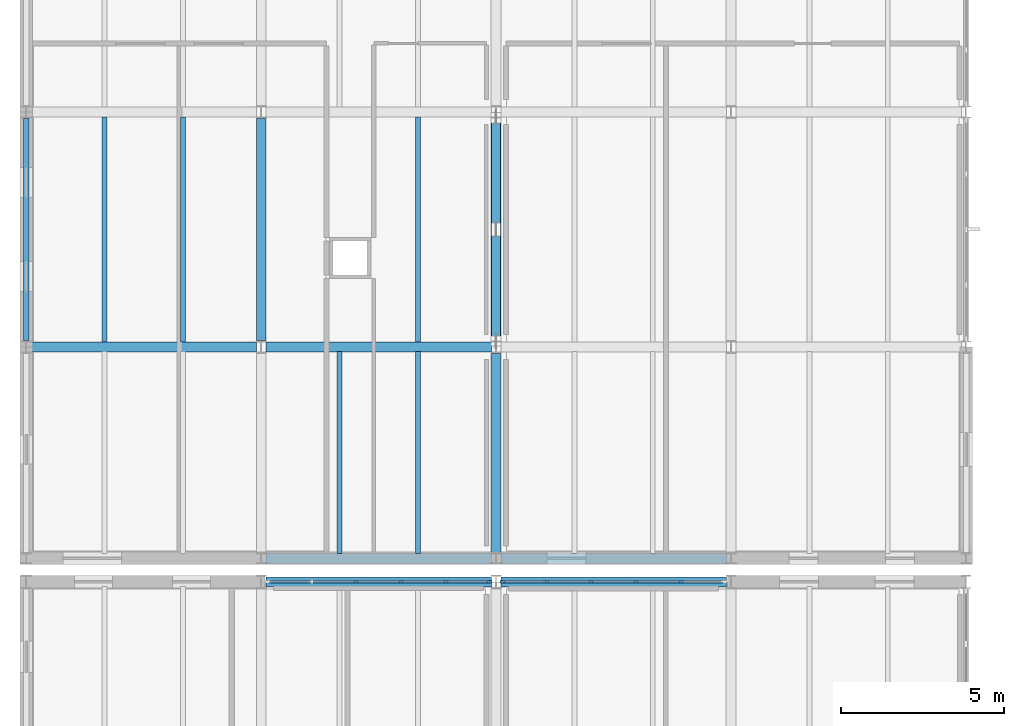
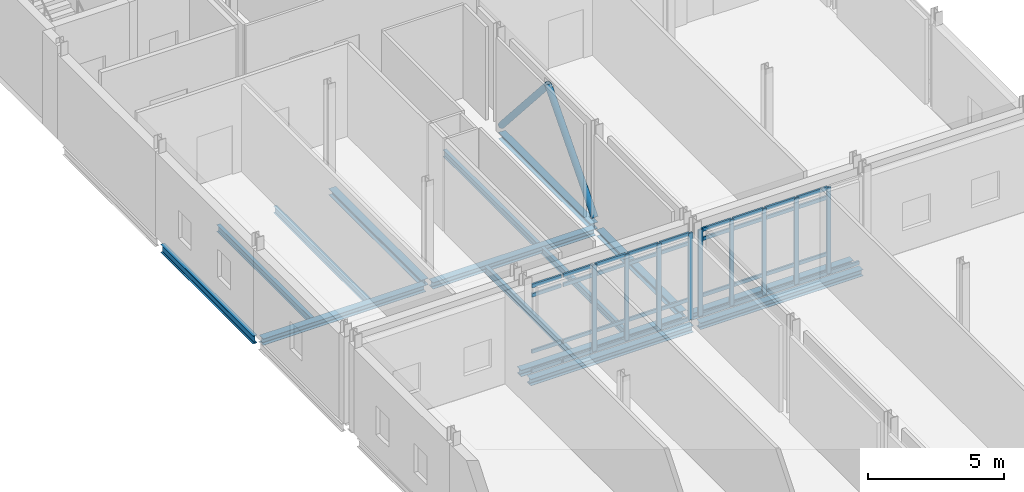
# One storey, part 19 of 76: 48 members, 15 beams, 2 elements without a shape of their own.
"""IFC4 building model written with IfcOpenShell, lengths in metres."""

from ifc_helpers import new_model, si_unit, direction, frame, origin, origin_2d, place, context, subcontext, project, spatial, rectangle, hollow_circle, i_section, extrude, material, layer, layer_set, material_profile, profile_set, type_object, element, aggregate, save


model = new_model("IFC4")

# Units and contexts
model_context = context("Model", 3, precision=1e-05, world=origin(), true_north=direction((0.0, 1.0)))
body_context = subcontext(model_context, "Body", "Model", "MODEL_VIEW")
ifc_project = project(units=[si_unit("LENGTHUNIT", "METRE"), si_unit("AREAUNIT", "SQUARE_METRE"), si_unit("VOLUMEUNIT", "CUBIC_METRE"), si_unit("PLANEANGLEUNIT", "RADIAN"), si_unit("MASSUNIT", "GRAM", prefix="KILO")], contexts=[model_context])

# Site, building, storey
site_placement = place(None, origin())
site = spatial("IfcSite", under=ifc_project, at=site_placement, CompositionType="ELEMENT")
building_placement = place(site_placement, origin())
building = spatial("IfcBuilding", under=site, at=building_placement, Name="Zarrinpeak Specialist Clinic", CompositionType="ELEMENT")
storey_placement = place(building_placement, frame((0.0, 0.0, 5.199951171875)))
storey = spatial("IfcBuildingStorey", under=building, at=storey_placement, Name="L01", CompositionType="ELEMENT", Elevation=5.199951171875)

# Beams
ifc_material_1 = material(Name="Steel S355", Category="steel")
ifc_material_profile_1 = material_profile(ifc_material_1, i_section(OverallWidth=0.300048828125, OverallDepth=0.2900390625, WebThickness=0.008544921875, FlangeThickness=0.013916015625, FilletRadius=0.027099609375, at=origin_2d()), Name="HEA 300")
ifc_profile_set_1 = profile_set([ifc_material_profile_1], Name="Steel S355")
beam_type_1 = type_object("IfcBeamType", Name="BM-HEA300", PredefinedType="BEAM", material=ifc_profile_set_1)
beam_1_placement = place(storey_placement, frame((7.347900390625, 50.39990234375, -0.375), z_axis=(1.0, 0.0, 0.0), x_axis=(0.0, 1.0, 0.0)))
element("IfcBeam", 1, at=beam_1_placement, inside=storey, type_object=beam_type_1, Name="L01 Primary Floor Girder BM-L01-X0777", PredefinedType="BEAM", context=body_context, shape_type="SweptSolid", body=[
    extrude(i_section(OverallWidth=0.300048828125, OverallDepth=0.2900390625, WebThickness=0.008544921875, FlangeThickness=0.013916015625, FilletRadius=0.027099609375, at=origin_2d()), origin(), (0.0, 0.0, 1.0), 6.904052734375),
])
beam_2_placement = place(storey_placement, frame((14.548095703125, 50.39990234375, -0.375), z_axis=(1.0, 0.0, 0.0), x_axis=(0.0, 1.0, 0.0)))
element("IfcBeam", 2, at=beam_2_placement, inside=storey, type_object=beam_type_1, Name="L01 Primary Floor Girder BM-L01-X0778", PredefinedType="BEAM", context=body_context, shape_type="SweptSolid", body=[
    extrude(i_section(OverallWidth=0.300048828125, OverallDepth=0.2900390625, WebThickness=0.008544921875, FlangeThickness=0.013916015625, FilletRadius=0.027099609375, at=origin_2d()), origin(), (0.0, 0.0, 1.0), 6.90380859375),
])
beam_3_placement = place(storey_placement, frame((7.347900390625, 51.1201171875, -0.405029296875), z_axis=(1.0, 0.0, 0.0), x_axis=(0.0, 1.0, 0.0)))
element("IfcBeam", 3, at=beam_3_placement, inside=storey, type_object=beam_type_1, Name="L01 Primary Floor Girder BM-L01-X0782", PredefinedType="BEAM", context=body_context, shape_type="SweptSolid", body=[
    extrude(i_section(OverallWidth=0.300048828125, OverallDepth=0.2900390625, WebThickness=0.008544921875, FlangeThickness=0.013916015625, FilletRadius=0.027099609375, at=origin_2d()), origin(), (0.0, 0.0, 1.0), 6.904052734375),
])
beam_4_placement = place(storey_placement, frame((14.548095703125, 51.1201171875, -0.405029296875), z_axis=(1.0, 0.0, 0.0), x_axis=(0.0, 1.0, 0.0)))
element("IfcBeam", 4, at=beam_4_placement, inside=storey, type_object=beam_type_1, Name="L01 Primary Floor Girder BM-L01-X0783", PredefinedType="BEAM", context=body_context, shape_type="SweptSolid", body=[
    extrude(i_section(OverallWidth=0.300048828125, OverallDepth=0.2900390625, WebThickness=0.008544921875, FlangeThickness=0.013916015625, FilletRadius=0.027099609375, at=origin_2d()), origin(), (0.0, 0.0, 1.0), 6.90380859375),
])
for number, where, z_axis, x_axis, name in (
    (5, (0.14794921875, 57.60009765625, -0.405029296875), (1.0, 0.0, 0.0), (0.0, 1.0, 0.0), "L01 Primary Floor Girder BM-L01-X0785"),
    (6, (7.347900390625, 57.60009765625, -0.405029296875), (1.0, 0.0, 0.0), (0.0, 1.0, 0.0), "L01 Primary Floor Girder BM-L01-X0786"),
):
    element("IfcBeam", number, at=place(storey_placement, frame(where, z_axis=z_axis, x_axis=x_axis)), inside=storey, type_object=beam_type_1, Name=name, PredefinedType="BEAM", context=body_context, shape_type="SweptSolid", body=[
        extrude(i_section(OverallWidth=0.300048828125, OverallDepth=0.2900390625, WebThickness=0.008544921875, FlangeThickness=0.013916015625, FilletRadius=0.027099609375, at=origin_2d()), origin(), (0.0, 0.0, 1.0), 6.904052734375),
    ])
beam_5_placement = place(storey_placement, frame((7.199951171875, 57.798095703125, -0.405029296875), z_axis=(0.0, 1.0, 0.0), x_axis=(-1.0, 0.0, 0.0)))
element("IfcBeam", 7, at=beam_5_placement, inside=storey, type_object=beam_type_1, Name="L01 Primary Beam BM-L01-Y0846", PredefinedType="BEAM", context=body_context, shape_type="SweptSolid", body=[
    extrude(i_section(OverallWidth=0.300048828125, OverallDepth=0.2900390625, WebThickness=0.008544921875, FlangeThickness=0.013916015625, FilletRadius=0.027099609375, at=origin_2d()), origin(), (0.0, 0.0, 1.0), 6.803955078125),
])
beam_6_placement = place(storey_placement, frame((14.39990234375, 51.298095703125, -0.405029296875), z_axis=(0.0, 1.0, 0.0), x_axis=(-1.0, 0.0, 0.0)))
element("IfcBeam", 8, at=beam_6_placement, inside=storey, type_object=beam_type_1, Name="L01 Primary Beam BM-L01-Y0857", PredefinedType="BEAM", context=body_context, shape_type="SweptSolid", body=[
    extrude(i_section(OverallWidth=0.300048828125, OverallDepth=0.2900390625, WebThickness=0.008544921875, FlangeThickness=0.013916015625, FilletRadius=0.027099609375, at=origin_2d()), origin(), (0.0, 0.0, 1.0), 6.10400390625),
])
beam_7_placement = place(storey_placement, frame((14.39990234375, 57.798095703125, -0.405029296875), z_axis=(0.0, 1.0, 0.0), x_axis=(-1.0, 0.0, 0.0)))
element("IfcBeam", 9, at=beam_7_placement, inside=storey, type_object=beam_type_1, Name="L01 Primary Beam BM-L01-Y0858", PredefinedType="BEAM", context=body_context, shape_type="SweptSolid", body=[
    extrude(i_section(OverallWidth=0.300048828125, OverallDepth=0.2900390625, WebThickness=0.008544921875, FlangeThickness=0.013916015625, FilletRadius=0.027099609375, at=origin_2d()), origin(), (0.0, 0.0, 1.0), 6.803955078125),
])
ifc_material_profile_2 = material_profile(ifc_material_1, i_section(OverallWidth=0.14990234375, OverallDepth=0.300048828125, WebThickness=0.007080078125, FlangeThickness=0.0107421875, FilletRadius=0.014892578125, at=origin_2d()), Name="IPE 300")
ifc_profile_set_2 = profile_set([ifc_material_profile_2], Name="Steel S355")
beam_type_2 = type_object("IfcBeamType", Name="BM-JST300", PredefinedType="JOIST", material=ifc_profile_set_2)
for number, where, z_axis, x_axis, name in (
    (10, (2.39990234375, 57.748046875, -0.409912109375), (0.0, 1.0, 0.0), (-1.0, 0.0, 0.0), "L01 Composite Floor Joist JST-L01-1047"),
    (11, (4.800048828125, 57.748046875, -0.409912109375), (0.0, 1.0, 0.0), (-1.0, 0.0, 0.0), "L01 Composite Floor Joist JST-L01-1048"),
):
    element("IfcBeam", number, at=place(storey_placement, frame(where, z_axis=z_axis, x_axis=x_axis)), inside=storey, type_object=beam_type_2, Name=name, PredefinedType="JOIST", context=body_context, shape_type="SweptSolid", body=[
        extrude(i_section(OverallWidth=0.14990234375, OverallDepth=0.300048828125, WebThickness=0.007080078125, FlangeThickness=0.0107421875, FilletRadius=0.014892578125, at=origin_2d()), origin(), (0.0, 0.0, 1.0), 6.904052734375),
    ])
for number, where, z_axis, x_axis, name in (
    (12, (9.60009765625, 51.26806640625, -0.409912109375), (0.0, 1.0, 0.0), (-1.0, 0.0, 0.0), "L01 Composite Floor Joist JST-L01-1051"),
    (13, (12.0, 51.26806640625, -0.409912109375), (0.0, 1.0, 0.0), (-1.0, 0.0, 0.0), "L01 Composite Floor Joist JST-L01-1052"),
):
    element("IfcBeam", number, at=place(storey_placement, frame(where, z_axis=z_axis, x_axis=x_axis)), inside=storey, type_object=beam_type_2, Name=name, PredefinedType="JOIST", context=body_context, shape_type="SweptSolid", body=[
        extrude(i_section(OverallWidth=0.14990234375, OverallDepth=0.300048828125, WebThickness=0.007080078125, FlangeThickness=0.0107421875, FilletRadius=0.014892578125, at=origin_2d()), origin(), (0.0, 0.0, 1.0), 6.183837890625),
    ])
beam_8_placement = place(storey_placement, frame((12.0, 57.748046875, -0.409912109375), z_axis=(0.0, 1.0, 0.0), x_axis=(-1.0, 0.0, 0.0)))
element("IfcBeam", 14, at=beam_8_placement, inside=storey, type_object=beam_type_2, Name="L01 Composite Floor Joist JST-L01-1053", PredefinedType="JOIST", context=body_context, shape_type="SweptSolid", body=[
    extrude(i_section(OverallWidth=0.14990234375, OverallDepth=0.300048828125, WebThickness=0.007080078125, FlangeThickness=0.0107421875, FilletRadius=0.014892578125, at=origin_2d()), origin(), (0.0, 0.0, 1.0), 6.904052734375),
])
ifc_material_profile_3 = material_profile(ifc_material_1, i_section(OverallWidth=0.169921875, OverallDepth=0.360107421875, WebThickness=0.008056640625, FlangeThickness=0.0126953125, FilletRadius=0.01806640625, at=origin_2d()), Name="IPE 360")
ifc_profile_set_3 = profile_set([ifc_material_profile_3], Name="Steel S355")
beam_type_3 = type_object("IfcBeamType", Name="BM-SP360", PredefinedType="SPANDREL", material=ifc_profile_set_3)
beam_9_placement = place(storey_placement, frame((0.0, 57.798095703125, -0.43994140625), z_axis=(0.0, 1.0, 0.0), x_axis=(-1.0, 0.0, 0.0)))
element("IfcBeam", 15, at=beam_9_placement, inside=storey, type_object=beam_type_3, Name="L01 Perimeter Spandrel Beam BM-L01-Y0836", PredefinedType="SPANDREL", context=body_context, shape_type="SweptSolid", body=[
    extrude(i_section(OverallWidth=0.169921875, OverallDepth=0.360107421875, WebThickness=0.008056640625, FlangeThickness=0.0126953125, FilletRadius=0.01806640625, at=origin_2d()), origin(), (0.0, 0.0, 1.0), 6.803955078125),
])

# Curtain wall, members
ifc_material_2 = material(Name="Anodised Aluminium Alloy 6063-T6", Category="aluminium")
ifc_layer = layer(ifc_material_2, 0.1650390625)
ifc_layer_set = layer_set([ifc_layer], Name="Anodised Aluminium Alloy 6063-T6")
curtain_wall_type = type_object("IfcCurtainWallType", Name="CW-CLINIC", PredefinedType="NOTDEFINED", material=ifc_layer_set)
curtain_wall_1_placement = place(storey_placement, origin())
curtain_wall_1 = element("IfcCurtainWall", 16, at=curtain_wall_1_placement, inside=storey, type_object=curtain_wall_type, Name="L01 V1 Unitised Curtain Wall CW-L01-V1-007", PredefinedType="NOTDEFINED")
ifc_material_profile_4 = material_profile(ifc_material_2, rectangle(XDim=0.074951171875, YDim=0.179931640625, at=origin_2d()), Name="ALU 75x180")
ifc_profile_set_4 = profile_set([ifc_material_profile_4], Name="Anodised Aluminium Alloy 6063-T6")
member_type_1 = type_object("IfcMemberType", Name="CWM-75", PredefinedType="MULLION", material=ifc_profile_set_4)
member_1_placement = place(storey_placement, frame((14.1875, 50.39990234375, 0.0), z_axis=(0.0, 0.0, 1.0), x_axis=(0.0, -1.0, 0.0)))
member_1 = element("IfcMember", 17, at=member_1_placement, type_object=member_type_1, Name="CW-03 mullion 1", PredefinedType="MULLION", context=body_context, shape_type="SweptSolid", body=[
    extrude(rectangle(XDim=0.074951171875, YDim=0.179931640625, at=origin_2d()), origin(), (0.0, 0.0, 1.0), 3.880126953125),
])
member_2_placement = place(storey_placement, frame((12.85498046875, 50.39990234375, 0.0), z_axis=(0.0, 0.0, 1.0), x_axis=(0.0, -1.0, 0.0)))
member_2 = element("IfcMember", 18, at=member_2_placement, type_object=member_type_1, Name="CW-03 mullion 2", PredefinedType="MULLION", context=body_context, shape_type="SweptSolid", body=[
    extrude(rectangle(XDim=0.074951171875, YDim=0.179931640625, at=origin_2d()), origin(), (0.0, 0.0, 1.0), 3.880126953125),
])
member_3_placement = place(storey_placement, frame((11.485107421875, 50.39990234375, 0.0), z_axis=(0.0, 0.0, 1.0), x_axis=(0.0, -1.0, 0.0)))
member_3 = element("IfcMember", 19, at=member_3_placement, type_object=member_type_1, Name="CW-03 mullion 3", PredefinedType="MULLION", context=body_context, shape_type="SweptSolid", body=[
    extrude(rectangle(XDim=0.074951171875, YDim=0.179931640625, at=origin_2d()), origin(), (0.0, 0.0, 1.0), 3.880126953125),
])
member_4_placement = place(storey_placement, frame((10.114990234375, 50.39990234375, 0.0), z_axis=(0.0, 0.0, 1.0), x_axis=(0.0, -1.0, 0.0)))
member_4 = element("IfcMember", 20, at=member_4_placement, type_object=member_type_1, Name="CW-03 mullion 4", PredefinedType="MULLION", context=body_context, shape_type="SweptSolid", body=[
    extrude(rectangle(XDim=0.074951171875, YDim=0.179931640625, at=origin_2d()), origin(), (0.0, 0.0, 1.0), 3.880126953125),
])

curtain_wall_2_placement = place(storey_placement, origin())
curtain_wall_2 = element("IfcCurtainWall", 21, at=curtain_wall_2_placement, inside=storey, type_object=curtain_wall_type, Name="L01 V1 Unitised Curtain Wall CW-L01-V1-008", PredefinedType="NOTDEFINED")
member_5_placement = place(storey_placement, frame((20.054931640625, 50.39990234375, 0.0), z_axis=(0.0, 0.0, 1.0), x_axis=(0.0, -1.0, 0.0)))
member_5 = element("IfcMember", 22, at=member_5_placement, type_object=member_type_1, Name="CW-03 mullion 2", PredefinedType="MULLION", context=body_context, shape_type="SweptSolid", body=[
    extrude(rectangle(XDim=0.074951171875, YDim=0.179931640625, at=origin_2d()), origin(), (0.0, 0.0, 1.0), 3.880126953125),
])
member_6_placement = place(storey_placement, frame((18.68505859375, 50.39990234375, 0.0), z_axis=(0.0, 0.0, 1.0), x_axis=(0.0, -1.0, 0.0)))
member_6 = element("IfcMember", 23, at=member_6_placement, type_object=member_type_1, Name="CW-03 mullion 3", PredefinedType="MULLION", context=body_context, shape_type="SweptSolid", body=[
    extrude(rectangle(XDim=0.074951171875, YDim=0.179931640625, at=origin_2d()), origin(), (0.0, 0.0, 1.0), 3.880126953125),
])
member_7_placement = place(storey_placement, frame((17.31494140625, 50.39990234375, 0.0), z_axis=(0.0, 0.0, 1.0), x_axis=(0.0, -1.0, 0.0)))
member_7 = element("IfcMember", 24, at=member_7_placement, type_object=member_type_1, Name="CW-03 mullion 4", PredefinedType="MULLION", context=body_context, shape_type="SweptSolid", body=[
    extrude(rectangle(XDim=0.074951171875, YDim=0.179931640625, at=origin_2d()), origin(), (0.0, 0.0, 1.0), 3.880126953125),
])
member_8_placement = place(storey_placement, frame((15.945068359375, 50.39990234375, 0.0), z_axis=(0.0, 0.0, 1.0), x_axis=(0.0, -1.0, 0.0)))
member_8 = element("IfcMember", 25, at=member_8_placement, type_object=member_type_1, Name="CW-03 mullion 5", PredefinedType="MULLION", context=body_context, shape_type="SweptSolid", body=[
    extrude(rectangle(XDim=0.074951171875, YDim=0.179931640625, at=origin_2d()), origin(), (0.0, 0.0, 1.0), 3.880126953125),
])
member_9_placement = place(storey_placement, frame((14.612548828125, 50.39990234375, 0.0), z_axis=(0.0, 0.0, 1.0), x_axis=(0.0, -1.0, 0.0)))
member_9 = element("IfcMember", 26, at=member_9_placement, type_object=member_type_1, Name="CW-03 mullion 6", PredefinedType="MULLION", context=body_context, shape_type="SweptSolid", body=[
    extrude(rectangle(XDim=0.074951171875, YDim=0.179931640625, at=origin_2d()), origin(), (0.0, 0.0, 1.0), 3.880126953125),
])

# Member
ifc_material_profile_5 = material_profile(ifc_material_2, rectangle(XDim=0.074951171875, YDim=0.159912109375, at=origin_2d()), Name="ALU 75x160")
ifc_profile_set_5 = profile_set([ifc_material_profile_5], Name="Anodised Aluminium Alloy 6063-T6")
member_type_2 = type_object("IfcMemberType", Name="CWT-75", PredefinedType="USERDEFINED", material=ifc_profile_set_5)
member_10_placement = place(storey_placement, frame((14.14990234375, 50.39990234375, 0.03759765625), z_axis=(-1.0, 0.0, 0.0), x_axis=(0.0, -1.0, 0.0)))
member_10 = element("IfcMember", 27, at=member_10_placement, type_object=member_type_2, Name="CW-03 transom 1.1", ObjectType="TRANSOM", PredefinedType="USERDEFINED", context=body_context, shape_type="SweptSolid", body=[
    extrude(rectangle(XDim=0.074951171875, YDim=0.159912109375, at=origin_2d()), origin(), (0.0, 0.0, 1.0), 1.25732421875),
])

member_11_placement = place(storey_placement, frame((14.14990234375, 50.39990234375, 0.900146484375), z_axis=(-1.0, 0.0, 0.0), x_axis=(0.0, -1.0, 0.0)))
member_11 = element("IfcMember", 28, at=member_11_placement, type_object=member_type_2, Name="CW-03 transom 1.2", ObjectType="TRANSOM", PredefinedType="USERDEFINED", context=body_context, shape_type="SweptSolid", body=[
    extrude(rectangle(XDim=0.074951171875, YDim=0.159912109375, at=origin_2d()), origin(), (0.0, 0.0, 1.0), 1.25732421875),
])

member_12_placement = place(storey_placement, frame((14.14990234375, 50.39990234375, 3.429931640625), z_axis=(-1.0, 0.0, 0.0), x_axis=(0.0, -1.0, 0.0)))
member_12 = element("IfcMember", 29, at=member_12_placement, type_object=member_type_2, Name="CW-03 transom 1.3", ObjectType="TRANSOM", PredefinedType="USERDEFINED", context=body_context, shape_type="SweptSolid", body=[
    extrude(rectangle(XDim=0.074951171875, YDim=0.159912109375, at=origin_2d()), origin(), (0.0, 0.0, 1.0), 1.25732421875),
])

member_13_placement = place(storey_placement, frame((14.14990234375, 50.39990234375, 3.842529296875), z_axis=(-1.0, 0.0, 0.0), x_axis=(0.0, -1.0, 0.0)))
member_13 = element("IfcMember", 30, at=member_13_placement, type_object=member_type_2, Name="CW-03 transom 1.4", ObjectType="TRANSOM", PredefinedType="USERDEFINED", context=body_context, shape_type="SweptSolid", body=[
    extrude(rectangle(XDim=0.074951171875, YDim=0.159912109375, at=origin_2d()), origin(), (0.0, 0.0, 1.0), 1.25732421875),
])

member_14_placement = place(storey_placement, frame((12.8173828125, 50.39990234375, 0.03759765625), z_axis=(-1.0, 0.0, 0.0), x_axis=(0.0, -1.0, 0.0)))
member_14 = element("IfcMember", 31, at=member_14_placement, type_object=member_type_2, Name="CW-03 transom 2.1", ObjectType="TRANSOM", PredefinedType="USERDEFINED", context=body_context, shape_type="SweptSolid", body=[
    extrude(rectangle(XDim=0.074951171875, YDim=0.159912109375, at=origin_2d()), origin(), (0.0, 0.0, 1.0), 1.294921875),
])

member_15_placement = place(storey_placement, frame((12.8173828125, 50.39990234375, 0.900146484375), z_axis=(-1.0, 0.0, 0.0), x_axis=(0.0, -1.0, 0.0)))
member_15 = element("IfcMember", 32, at=member_15_placement, type_object=member_type_2, Name="CW-03 transom 2.2", ObjectType="TRANSOM", PredefinedType="USERDEFINED", context=body_context, shape_type="SweptSolid", body=[
    extrude(rectangle(XDim=0.074951171875, YDim=0.159912109375, at=origin_2d()), origin(), (0.0, 0.0, 1.0), 1.294921875),
])

member_16_placement = place(storey_placement, frame((12.8173828125, 50.39990234375, 3.429931640625), z_axis=(-1.0, 0.0, 0.0), x_axis=(0.0, -1.0, 0.0)))
member_16 = element("IfcMember", 33, at=member_16_placement, type_object=member_type_2, Name="CW-03 transom 2.3", ObjectType="TRANSOM", PredefinedType="USERDEFINED", context=body_context, shape_type="SweptSolid", body=[
    extrude(rectangle(XDim=0.074951171875, YDim=0.159912109375, at=origin_2d()), origin(), (0.0, 0.0, 1.0), 1.294921875),
])

member_17_placement = place(storey_placement, frame((12.8173828125, 50.39990234375, 3.842529296875), z_axis=(-1.0, 0.0, 0.0), x_axis=(0.0, -1.0, 0.0)))
member_17 = element("IfcMember", 34, at=member_17_placement, type_object=member_type_2, Name="CW-03 transom 2.4", ObjectType="TRANSOM", PredefinedType="USERDEFINED", context=body_context, shape_type="SweptSolid", body=[
    extrude(rectangle(XDim=0.074951171875, YDim=0.159912109375, at=origin_2d()), origin(), (0.0, 0.0, 1.0), 1.294921875),
])

member_18_placement = place(storey_placement, frame((11.447509765625, 50.39990234375, 0.03759765625), z_axis=(-1.0, 0.0, 0.0), x_axis=(0.0, -1.0, 0.0)))
member_18 = element("IfcMember", 35, at=member_18_placement, type_object=member_type_2, Name="CW-03 transom 3.1", ObjectType="TRANSOM", PredefinedType="USERDEFINED", context=body_context, shape_type="SweptSolid", body=[
    extrude(rectangle(XDim=0.074951171875, YDim=0.159912109375, at=origin_2d()), origin(), (0.0, 0.0, 1.0), 1.294921875),
])

member_19_placement = place(storey_placement, frame((11.447509765625, 50.39990234375, 0.900146484375), z_axis=(-1.0, 0.0, 0.0), x_axis=(0.0, -1.0, 0.0)))
member_19 = element("IfcMember", 36, at=member_19_placement, type_object=member_type_2, Name="CW-03 transom 3.2", ObjectType="TRANSOM", PredefinedType="USERDEFINED", context=body_context, shape_type="SweptSolid", body=[
    extrude(rectangle(XDim=0.074951171875, YDim=0.159912109375, at=origin_2d()), origin(), (0.0, 0.0, 1.0), 1.294921875),
])

member_20_placement = place(storey_placement, frame((11.447509765625, 50.39990234375, 3.429931640625), z_axis=(-1.0, 0.0, 0.0), x_axis=(0.0, -1.0, 0.0)))
member_20 = element("IfcMember", 37, at=member_20_placement, type_object=member_type_2, Name="CW-03 transom 3.3", ObjectType="TRANSOM", PredefinedType="USERDEFINED", context=body_context, shape_type="SweptSolid", body=[
    extrude(rectangle(XDim=0.074951171875, YDim=0.159912109375, at=origin_2d()), origin(), (0.0, 0.0, 1.0), 1.294921875),
])

member_21_placement = place(storey_placement, frame((11.447509765625, 50.39990234375, 3.842529296875), z_axis=(-1.0, 0.0, 0.0), x_axis=(0.0, -1.0, 0.0)))
member_21 = element("IfcMember", 38, at=member_21_placement, type_object=member_type_2, Name="CW-03 transom 3.4", ObjectType="TRANSOM", PredefinedType="USERDEFINED", context=body_context, shape_type="SweptSolid", body=[
    extrude(rectangle(XDim=0.074951171875, YDim=0.159912109375, at=origin_2d()), origin(), (0.0, 0.0, 1.0), 1.294921875),
])

member_22_placement = place(storey_placement, frame((10.077392578125, 50.39990234375, 0.03759765625), z_axis=(-1.0, 0.0, 0.0), x_axis=(0.0, -1.0, 0.0)))
member_22 = element("IfcMember", 39, at=member_22_placement, type_object=member_type_2, Name="CW-03 transom 4.1", ObjectType="TRANSOM", PredefinedType="USERDEFINED", context=body_context, shape_type="SweptSolid", body=[
    extrude(rectangle(XDim=0.074951171875, YDim=0.159912109375, at=origin_2d()), origin(), (0.0, 0.0, 1.0), 1.294921875),
])

member_23_placement = place(storey_placement, frame((10.077392578125, 50.39990234375, 0.900146484375), z_axis=(-1.0, 0.0, 0.0), x_axis=(0.0, -1.0, 0.0)))
member_23 = element("IfcMember", 40, at=member_23_placement, type_object=member_type_2, Name="CW-03 transom 4.2", ObjectType="TRANSOM", PredefinedType="USERDEFINED", context=body_context, shape_type="SweptSolid", body=[
    extrude(rectangle(XDim=0.074951171875, YDim=0.159912109375, at=origin_2d()), origin(), (0.0, 0.0, 1.0), 1.294921875),
])

member_24_placement = place(storey_placement, frame((10.077392578125, 50.39990234375, 3.429931640625), z_axis=(-1.0, 0.0, 0.0), x_axis=(0.0, -1.0, 0.0)))
member_24 = element("IfcMember", 41, at=member_24_placement, type_object=member_type_2, Name="CW-03 transom 4.3", ObjectType="TRANSOM", PredefinedType="USERDEFINED", context=body_context, shape_type="SweptSolid", body=[
    extrude(rectangle(XDim=0.074951171875, YDim=0.159912109375, at=origin_2d()), origin(), (0.0, 0.0, 1.0), 1.294921875),
])

member_25_placement = place(storey_placement, frame((10.077392578125, 50.39990234375, 3.842529296875), z_axis=(-1.0, 0.0, 0.0), x_axis=(0.0, -1.0, 0.0)))
member_25 = element("IfcMember", 42, at=member_25_placement, type_object=member_type_2, Name="CW-03 transom 4.4", ObjectType="TRANSOM", PredefinedType="USERDEFINED", context=body_context, shape_type="SweptSolid", body=[
    extrude(rectangle(XDim=0.074951171875, YDim=0.159912109375, at=origin_2d()), origin(), (0.0, 0.0, 1.0), 1.294921875),
])

member_26_placement = place(storey_placement, frame((8.70751953125, 50.39990234375, 0.03759765625), z_axis=(-1.0, 0.0, 0.0), x_axis=(0.0, -1.0, 0.0)))
member_26 = element("IfcMember", 43, at=member_26_placement, type_object=member_type_2, Name="CW-03 transom 5.1", ObjectType="TRANSOM", PredefinedType="USERDEFINED", context=body_context, shape_type="SweptSolid", body=[
    extrude(rectangle(XDim=0.074951171875, YDim=0.159912109375, at=origin_2d()), origin(), (0.0, 0.0, 1.0), 1.257568359375),
])

member_27_placement = place(storey_placement, frame((8.70751953125, 50.39990234375, 0.900146484375), z_axis=(-1.0, 0.0, 0.0), x_axis=(0.0, -1.0, 0.0)))
member_27 = element("IfcMember", 44, at=member_27_placement, type_object=member_type_2, Name="CW-03 transom 5.2", ObjectType="TRANSOM", PredefinedType="USERDEFINED", context=body_context, shape_type="SweptSolid", body=[
    extrude(rectangle(XDim=0.074951171875, YDim=0.159912109375, at=origin_2d()), origin(), (0.0, 0.0, 1.0), 1.257568359375),
])

member_28_placement = place(storey_placement, frame((8.70751953125, 50.39990234375, 3.429931640625), z_axis=(-1.0, 0.0, 0.0), x_axis=(0.0, -1.0, 0.0)))
member_28 = element("IfcMember", 45, at=member_28_placement, type_object=member_type_2, Name="CW-03 transom 5.3", ObjectType="TRANSOM", PredefinedType="USERDEFINED", context=body_context, shape_type="SweptSolid", body=[
    extrude(rectangle(XDim=0.074951171875, YDim=0.159912109375, at=origin_2d()), origin(), (0.0, 0.0, 1.0), 1.257568359375),
])

member_29_placement = place(storey_placement, frame((8.70751953125, 50.39990234375, 3.842529296875), z_axis=(-1.0, 0.0, 0.0), x_axis=(0.0, -1.0, 0.0)))
member_29 = element("IfcMember", 46, at=member_29_placement, type_object=member_type_2, Name="CW-03 transom 5.4", ObjectType="TRANSOM", PredefinedType="USERDEFINED", context=body_context, shape_type="SweptSolid", body=[
    extrude(rectangle(XDim=0.074951171875, YDim=0.159912109375, at=origin_2d()), origin(), (0.0, 0.0, 1.0), 1.257568359375),
])

aggregate(curtain_wall_1, [member_1, member_2, member_3, member_4, member_10, member_11, member_12, member_13, member_14, member_15, member_16, member_17, member_18, member_19, member_20, member_21, member_22, member_23, member_24, member_25, member_26, member_27, member_28, member_29])

member_30_placement = place(storey_placement, frame((21.35009765625, 50.39990234375, 0.03759765625), z_axis=(-1.0, 0.0, 0.0), x_axis=(0.0, -1.0, 0.0)))
member_30 = element("IfcMember", 47, at=member_30_placement, type_object=member_type_2, Name="CW-03 transom 1.1", ObjectType="TRANSOM", PredefinedType="USERDEFINED", context=body_context, shape_type="SweptSolid", body=[
    extrude(rectangle(XDim=0.074951171875, YDim=0.159912109375, at=origin_2d()), origin(), (0.0, 0.0, 1.0), 1.257568359375),
])

member_31_placement = place(storey_placement, frame((20.017578125, 50.39990234375, 0.03759765625), z_axis=(-1.0, 0.0, 0.0), x_axis=(0.0, -1.0, 0.0)))
member_31 = element("IfcMember", 48, at=member_31_placement, type_object=member_type_2, Name="CW-03 transom 2.1", ObjectType="TRANSOM", PredefinedType="USERDEFINED", context=body_context, shape_type="SweptSolid", body=[
    extrude(rectangle(XDim=0.074951171875, YDim=0.159912109375, at=origin_2d()), origin(), (0.0, 0.0, 1.0), 1.295166015625),
])

member_32_placement = place(storey_placement, frame((20.017578125, 50.39990234375, 0.900146484375), z_axis=(-1.0, 0.0, 0.0), x_axis=(0.0, -1.0, 0.0)))
member_32 = element("IfcMember", 49, at=member_32_placement, type_object=member_type_2, Name="CW-03 transom 2.2", ObjectType="TRANSOM", PredefinedType="USERDEFINED", context=body_context, shape_type="SweptSolid", body=[
    extrude(rectangle(XDim=0.074951171875, YDim=0.159912109375, at=origin_2d()), origin(), (0.0, 0.0, 1.0), 1.295166015625),
])

member_33_placement = place(storey_placement, frame((20.017578125, 50.39990234375, 3.429931640625), z_axis=(-1.0, 0.0, 0.0), x_axis=(0.0, -1.0, 0.0)))
member_33 = element("IfcMember", 50, at=member_33_placement, type_object=member_type_2, Name="CW-03 transom 2.3", ObjectType="TRANSOM", PredefinedType="USERDEFINED", context=body_context, shape_type="SweptSolid", body=[
    extrude(rectangle(XDim=0.074951171875, YDim=0.159912109375, at=origin_2d()), origin(), (0.0, 0.0, 1.0), 1.295166015625),
])

member_34_placement = place(storey_placement, frame((20.017578125, 50.39990234375, 3.842529296875), z_axis=(-1.0, 0.0, 0.0), x_axis=(0.0, -1.0, 0.0)))
member_34 = element("IfcMember", 51, at=member_34_placement, type_object=member_type_2, Name="CW-03 transom 2.4", ObjectType="TRANSOM", PredefinedType="USERDEFINED", context=body_context, shape_type="SweptSolid", body=[
    extrude(rectangle(XDim=0.074951171875, YDim=0.159912109375, at=origin_2d()), origin(), (0.0, 0.0, 1.0), 1.295166015625),
])

member_35_placement = place(storey_placement, frame((18.6474609375, 50.39990234375, 0.03759765625), z_axis=(-1.0, 0.0, 0.0), x_axis=(0.0, -1.0, 0.0)))
member_35 = element("IfcMember", 52, at=member_35_placement, type_object=member_type_2, Name="CW-03 transom 3.1", ObjectType="TRANSOM", PredefinedType="USERDEFINED", context=body_context, shape_type="SweptSolid", body=[
    extrude(rectangle(XDim=0.074951171875, YDim=0.159912109375, at=origin_2d()), origin(), (0.0, 0.0, 1.0), 1.294921875),
])

member_36_placement = place(storey_placement, frame((18.6474609375, 50.39990234375, 0.900146484375), z_axis=(-1.0, 0.0, 0.0), x_axis=(0.0, -1.0, 0.0)))
member_36 = element("IfcMember", 53, at=member_36_placement, type_object=member_type_2, Name="CW-03 transom 3.2", ObjectType="TRANSOM", PredefinedType="USERDEFINED", context=body_context, shape_type="SweptSolid", body=[
    extrude(rectangle(XDim=0.074951171875, YDim=0.159912109375, at=origin_2d()), origin(), (0.0, 0.0, 1.0), 1.294921875),
])

member_37_placement = place(storey_placement, frame((18.6474609375, 50.39990234375, 3.429931640625), z_axis=(-1.0, 0.0, 0.0), x_axis=(0.0, -1.0, 0.0)))
member_37 = element("IfcMember", 54, at=member_37_placement, type_object=member_type_2, Name="CW-03 transom 3.3", ObjectType="TRANSOM", PredefinedType="USERDEFINED", context=body_context, shape_type="SweptSolid", body=[
    extrude(rectangle(XDim=0.074951171875, YDim=0.159912109375, at=origin_2d()), origin(), (0.0, 0.0, 1.0), 1.294921875),
])

member_38_placement = place(storey_placement, frame((18.6474609375, 50.39990234375, 3.842529296875), z_axis=(-1.0, 0.0, 0.0), x_axis=(0.0, -1.0, 0.0)))
member_38 = element("IfcMember", 55, at=member_38_placement, type_object=member_type_2, Name="CW-03 transom 3.4", ObjectType="TRANSOM", PredefinedType="USERDEFINED", context=body_context, shape_type="SweptSolid", body=[
    extrude(rectangle(XDim=0.074951171875, YDim=0.159912109375, at=origin_2d()), origin(), (0.0, 0.0, 1.0), 1.294921875),
])

member_39_placement = place(storey_placement, frame((17.277587890625, 50.39990234375, 0.03759765625), z_axis=(-1.0, 0.0, 0.0), x_axis=(0.0, -1.0, 0.0)))
member_39 = element("IfcMember", 56, at=member_39_placement, type_object=member_type_2, Name="CW-03 transom 4.1", ObjectType="TRANSOM", PredefinedType="USERDEFINED", context=body_context, shape_type="SweptSolid", body=[
    extrude(rectangle(XDim=0.074951171875, YDim=0.159912109375, at=origin_2d()), origin(), (0.0, 0.0, 1.0), 1.295166015625),
])

member_40_placement = place(storey_placement, frame((17.277587890625, 50.39990234375, 0.900146484375), z_axis=(-1.0, 0.0, 0.0), x_axis=(0.0, -1.0, 0.0)))
member_40 = element("IfcMember", 57, at=member_40_placement, type_object=member_type_2, Name="CW-03 transom 4.2", ObjectType="TRANSOM", PredefinedType="USERDEFINED", context=body_context, shape_type="SweptSolid", body=[
    extrude(rectangle(XDim=0.074951171875, YDim=0.159912109375, at=origin_2d()), origin(), (0.0, 0.0, 1.0), 1.295166015625),
])

member_41_placement = place(storey_placement, frame((17.277587890625, 50.39990234375, 3.429931640625), z_axis=(-1.0, 0.0, 0.0), x_axis=(0.0, -1.0, 0.0)))
member_41 = element("IfcMember", 58, at=member_41_placement, type_object=member_type_2, Name="CW-03 transom 4.3", ObjectType="TRANSOM", PredefinedType="USERDEFINED", context=body_context, shape_type="SweptSolid", body=[
    extrude(rectangle(XDim=0.074951171875, YDim=0.159912109375, at=origin_2d()), origin(), (0.0, 0.0, 1.0), 1.295166015625),
])

member_42_placement = place(storey_placement, frame((17.277587890625, 50.39990234375, 3.842529296875), z_axis=(-1.0, 0.0, 0.0), x_axis=(0.0, -1.0, 0.0)))
member_42 = element("IfcMember", 59, at=member_42_placement, type_object=member_type_2, Name="CW-03 transom 4.4", ObjectType="TRANSOM", PredefinedType="USERDEFINED", context=body_context, shape_type="SweptSolid", body=[
    extrude(rectangle(XDim=0.074951171875, YDim=0.159912109375, at=origin_2d()), origin(), (0.0, 0.0, 1.0), 1.295166015625),
])

member_43_placement = place(storey_placement, frame((15.907470703125, 50.39990234375, 0.03759765625), z_axis=(-1.0, 0.0, 0.0), x_axis=(0.0, -1.0, 0.0)))
member_43 = element("IfcMember", 60, at=member_43_placement, type_object=member_type_2, Name="CW-03 transom 5.1", ObjectType="TRANSOM", PredefinedType="USERDEFINED", context=body_context, shape_type="SweptSolid", body=[
    extrude(rectangle(XDim=0.074951171875, YDim=0.159912109375, at=origin_2d()), origin(), (0.0, 0.0, 1.0), 1.257568359375),
])

member_44_placement = place(storey_placement, frame((15.907470703125, 50.39990234375, 0.900146484375), z_axis=(-1.0, 0.0, 0.0), x_axis=(0.0, -1.0, 0.0)))
member_44 = element("IfcMember", 61, at=member_44_placement, type_object=member_type_2, Name="CW-03 transom 5.2", ObjectType="TRANSOM", PredefinedType="USERDEFINED", context=body_context, shape_type="SweptSolid", body=[
    extrude(rectangle(XDim=0.074951171875, YDim=0.159912109375, at=origin_2d()), origin(), (0.0, 0.0, 1.0), 1.257568359375),
])

member_45_placement = place(storey_placement, frame((15.907470703125, 50.39990234375, 3.429931640625), z_axis=(-1.0, 0.0, 0.0), x_axis=(0.0, -1.0, 0.0)))
member_45 = element("IfcMember", 62, at=member_45_placement, type_object=member_type_2, Name="CW-03 transom 5.3", ObjectType="TRANSOM", PredefinedType="USERDEFINED", context=body_context, shape_type="SweptSolid", body=[
    extrude(rectangle(XDim=0.074951171875, YDim=0.159912109375, at=origin_2d()), origin(), (0.0, 0.0, 1.0), 1.257568359375),
])

member_46_placement = place(storey_placement, frame((15.907470703125, 50.39990234375, 3.842529296875), z_axis=(-1.0, 0.0, 0.0), x_axis=(0.0, -1.0, 0.0)))
member_46 = element("IfcMember", 63, at=member_46_placement, type_object=member_type_2, Name="CW-03 transom 5.4", ObjectType="TRANSOM", PredefinedType="USERDEFINED", context=body_context, shape_type="SweptSolid", body=[
    extrude(rectangle(XDim=0.074951171875, YDim=0.159912109375, at=origin_2d()), origin(), (0.0, 0.0, 1.0), 1.257568359375),
])

aggregate(curtain_wall_2, [member_5, member_6, member_7, member_8, member_9, member_30, member_31, member_32, member_33, member_34, member_35, member_36, member_37, member_38, member_39, member_40, member_41, member_42, member_43, member_44, member_45, member_46])

# Members
ifc_material_profile_6 = material_profile(ifc_material_1, hollow_circle(Radius=0.136474609375, WallThickness=0.012451171875, at=origin_2d()), Name="CHS 273.0x12.5")
ifc_profile_set_6 = profile_set([ifc_material_profile_6], Name="Steel S355")
member_type_3 = type_object("IfcMemberType", Name="MB-BR273", PredefinedType="BRACE", material=ifc_profile_set_6)
member_47_placement = place(storey_placement, frame((14.39990234375, 57.780029296875, 0.005126953125), z_axis=(0.0, 0.660281423665, 0.751018269793), x_axis=(-1.0, 0.0, 0.0)))
element("IfcMember", 64, at=member_47_placement, inside=storey, type_object=member_type_3, Name="V5 L01 Seismic Concentric Brace CBF-037", PredefinedType="BRACE", context=body_context, shape_type="SweptSolid", body=[
    extrude(hollow_circle(Radius=0.136474609375, WallThickness=0.012451171875, at=origin_2d()), origin(), (0.0, 0.0, 1.0), 5.179443359375),
])
member_48_placement = place(storey_placement, frame((14.39990234375, 64.6201171875, 0.005126953125), z_axis=(0.0, -0.660308008482, 0.750994896077), x_axis=(1.0, 0.0, 0.0)))
element("IfcMember", 65, at=member_48_placement, inside=storey, type_object=member_type_3, Name="V5 L01 Seismic Concentric Brace CBF-038", PredefinedType="BRACE", context=body_context, shape_type="SweptSolid", body=[
    extrude(hollow_circle(Radius=0.136474609375, WallThickness=0.012451171875, at=origin_2d()), origin(), (0.0, 0.0, 1.0), 5.1796875),
])

save(model, "model.ifc")
